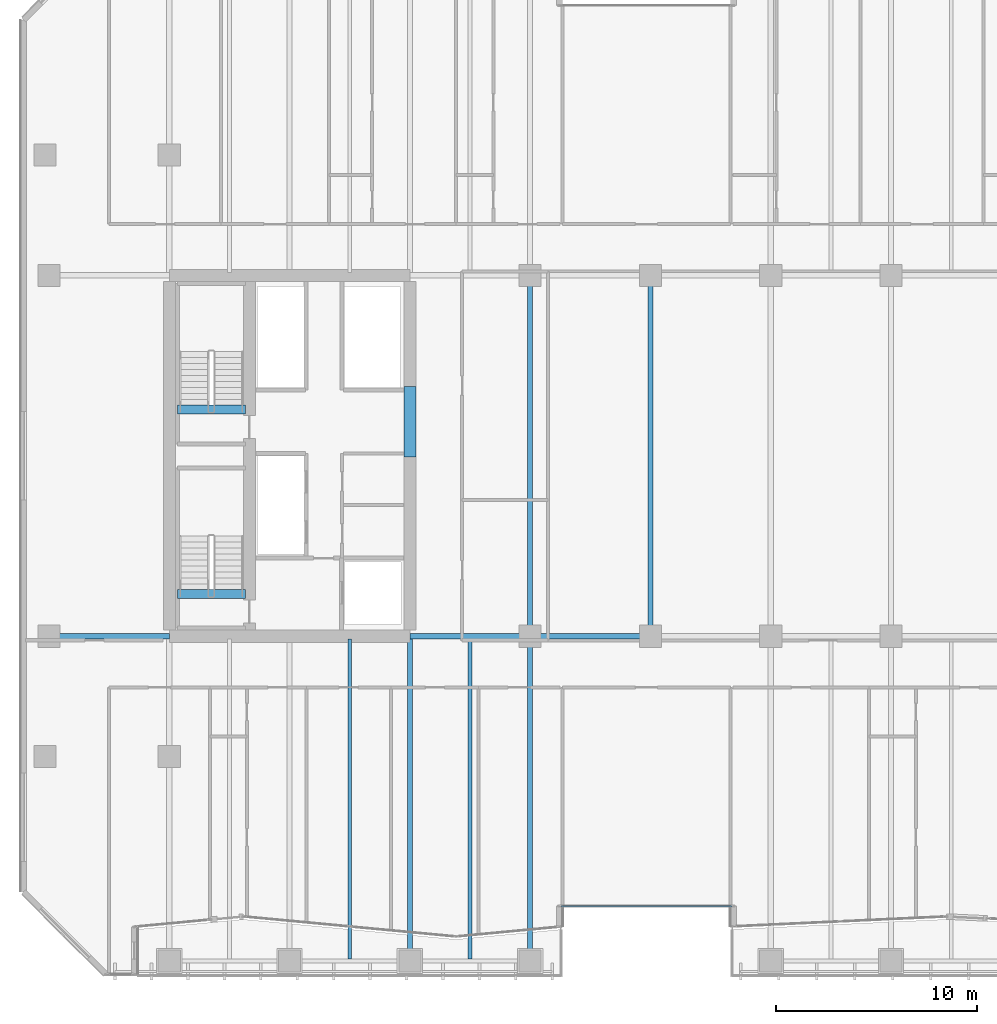
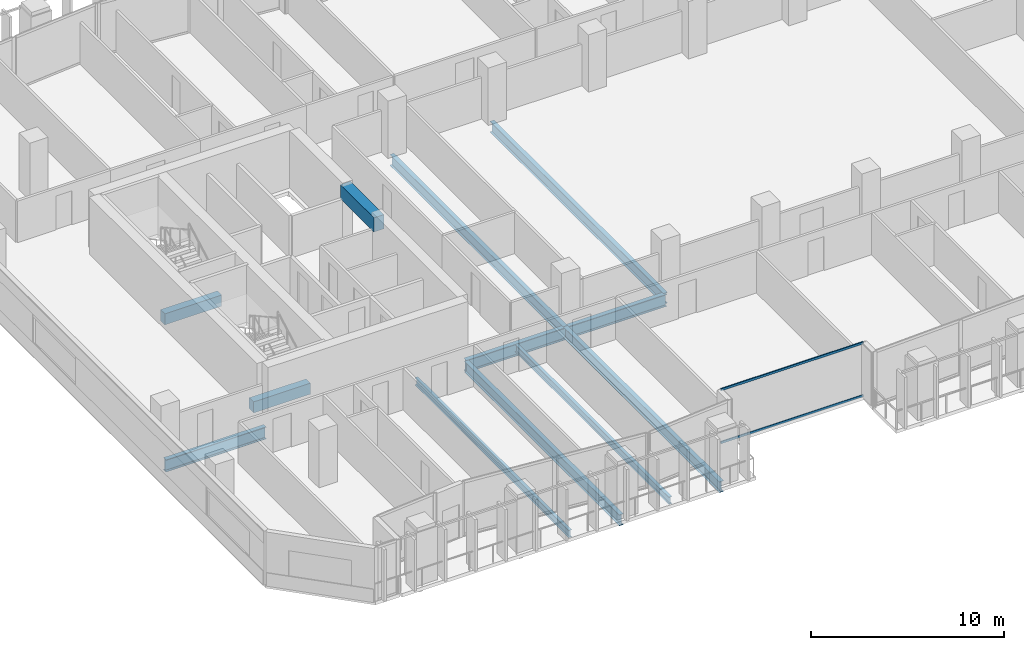
# One storey, part 4 of 31: 12 beams, 2 members, 1 element without a shape of its own.
"""IFC4 building model written with IfcOpenShell, lengths in metres."""

from ifc_helpers import new_model, si_unit, direction, frame, origin, origin_2d, place, context, subcontext, project, spatial, rectangle, hollow_rectangle, i_section, extrude, material, layer, layer_set, material_profile, profile_set, type_object, element, aggregate, save


model = new_model("IFC4")

# Units and contexts
model_context = context("Model", 3, precision=1e-05, world=origin(), true_north=direction((0.0, 1.0)))
body_context = subcontext(model_context, "Body", "Model", "MODEL_VIEW")
ifc_project = project(units=[si_unit("LENGTHUNIT", "METRE"), si_unit("AREAUNIT", "SQUARE_METRE"), si_unit("VOLUMEUNIT", "CUBIC_METRE"), si_unit("PLANEANGLEUNIT", "RADIAN"), si_unit("MASSUNIT", "GRAM", prefix="KILO")], contexts=[model_context])

# Site, building, storey
site_placement = place(None, origin())
site = spatial("IfcSite", under=ifc_project, at=site_placement, CompositionType="ELEMENT")
building_placement = place(site_placement, origin())
building = spatial("IfcBuilding", under=site, at=building_placement, Name="Tanjung Sevakor Pilgrim Tower", CompositionType="ELEMENT")
storey_placement = place(building_placement, frame((0.0, 0.0, 58.739990234375)))
storey = spatial("IfcBuildingStorey", under=building, at=storey_placement, Name="L16", CompositionType="ELEMENT", Elevation=58.739990234375)

# Beams
ifc_material_1 = material(Name="Steel S355J2", Category="steel")
ifc_material_profile_1 = material_profile(ifc_material_1, i_section(OverallWidth=0.26806640625, OverallDepth=0.769775390625, WebThickness=0.015625, FlangeThickness=0.025390625, FilletRadius=0.0166015625, at=origin_2d()))
ifc_profile_set_1 = profile_set([ifc_material_profile_1], Name="Steel S355J2")
beam_type_1 = type_object("IfcBeamType", Name="BM-B-G1-UB_762x267x197", PredefinedType="BEAM", material=ifc_profile_set_1)
for number, where, z_axis, x_axis, name in (
    (1, (18.0, 24.60009765625, -0.60498046875), (1.0, 0.0, 0.0), (0.0, 1.0, 0.0), "L16 Primary Floor Girder MAIN Y246-01"),
    (2, (36.0, 24.60009765625, -0.60498046875), (1.0, 0.0, 0.0), (0.0, 1.0, 0.0), "L16 Primary Floor Girder MAIN Y246-02"),
    (3, (42.0, 24.60009765625, -0.60498046875), (1.0, 0.0, 0.0), (0.0, 1.0, 0.0), "L16 Primary Floor Girder MAIN Y246-03"),
):
    element("IfcBeam", number, at=place(storey_placement, frame(where, z_axis=z_axis, x_axis=x_axis)), inside=storey, type_object=beam_type_1, Name=name, PredefinedType="BEAM", context=body_context, shape_type="SweptSolid", body=[
        extrude(i_section(OverallWidth=0.26806640625, OverallDepth=0.769775390625, WebThickness=0.015625, FlangeThickness=0.025390625, FilletRadius=0.0166015625, at=origin_2d()), origin(), (0.0, 0.0, 1.0), 6.0),
    ])
ifc_material_2 = material(Name="Steel S355J2", Category="steel")
ifc_material_profile_2 = material_profile(ifc_material_2, i_section(OverallWidth=0.25439453125, OverallDepth=0.6875, WebThickness=0.01318359375, FlangeThickness=0.02099609375, FilletRadius=0.01513671875, at=origin_2d()))
ifc_profile_set_2 = profile_set([ifc_material_profile_2], Name="Steel S355J2")
beam_type_2 = type_object("IfcBeamType", Name="BM-B-G2-UB_686x254x152", PredefinedType="BEAM", material=ifc_profile_set_2)
beam_1_placement = place(storey_placement, frame((36.0, 8.39990234375, -0.563720703125), z_axis=(0.0, 1.0, 0.0), x_axis=(-1.0, 0.0, 0.0)))
element("IfcBeam", 4, at=beam_1_placement, inside=storey, type_object=beam_type_2, Name="L16 MAIN Girder 009", PredefinedType="BEAM", context=body_context, shape_type="SweptSolid", body=[
    extrude(i_section(OverallWidth=0.25439453125, OverallDepth=0.6875, WebThickness=0.01318359375, FlangeThickness=0.02099609375, FilletRadius=0.01513671875, at=origin_2d()), origin(), (0.0, 0.0, 1.0), 16.066162109375),
])
beam_2_placement = place(storey_placement, frame((42.0, 8.39990234375, -0.563720703125), z_axis=(0.0, 1.0, 0.0), x_axis=(-1.0, 0.0, 0.0)))
element("IfcBeam", 5, at=beam_2_placement, inside=storey, type_object=beam_type_2, Name="L16 MAIN Girder 013", PredefinedType="BEAM", context=body_context, shape_type="SweptSolid", body=[
    extrude(i_section(OverallWidth=0.25439453125, OverallDepth=0.6875, WebThickness=0.01318359375, FlangeThickness=0.02099609375, FilletRadius=0.01513671875, at=origin_2d()), origin(), (0.0, 0.0, 1.0), 16.2001953125),
])
for number, where, z_axis, x_axis, name in (
    (6, (42.0, 24.60009765625, -0.563720703125), (0.0, 1.0, 0.0), (-1.0, 0.0, 0.0), "L16 MAIN Girder 014"),
    (7, (48.0, 24.60009765625, -0.563720703125), (0.0, 1.0, 0.0), (-1.0, 0.0, 0.0), "L16 MAIN Girder 016"),
):
    element("IfcBeam", number, at=place(storey_placement, frame(where, z_axis=z_axis, x_axis=x_axis)), inside=storey, type_object=beam_type_2, Name=name, PredefinedType="BEAM", context=body_context, shape_type="SweptSolid", body=[
        extrude(i_section(OverallWidth=0.25439453125, OverallDepth=0.6875, WebThickness=0.01318359375, FlangeThickness=0.02099609375, FilletRadius=0.01513671875, at=origin_2d()), origin(), (0.0, 0.0, 1.0), 18.0),
    ])
ifc_material_3 = material(Name="Steel S355J2", Category="steel")
ifc_material_profile_3 = material_profile(ifc_material_3, i_section(OverallWidth=0.19140625, OverallDepth=0.4599609375, WebThickness=0.010009765625, FlangeThickness=0.01611328125, FilletRadius=0.01025390625, at=origin_2d()))
ifc_profile_set_3 = profile_set([ifc_material_profile_3], Name="Steel S355J2")
beam_type_3 = type_object("IfcBeamType", Name="BM-B-J2-UB_457x191x82", PredefinedType="JOIST", material=ifc_profile_set_3)
for number, where, z_axis, x_axis, name in (
    (8, (33.0, 8.5, -0.449951171875), (0.0, 1.0, 0.0), (-1.0, 0.0, 0.0), "L16 MAIN Joist 007"),
    (9, (39.0, 8.5, -0.449951171875), (0.0, 1.0, 0.0), (-1.0, 0.0, 0.0), "L16 MAIN Joist 011"),
):
    element("IfcBeam", number, at=place(storey_placement, frame(where, z_axis=z_axis, x_axis=x_axis)), inside=storey, type_object=beam_type_3, Name=name, PredefinedType="JOIST", context=body_context, shape_type="SweptSolid", body=[
        extrude(i_section(OverallWidth=0.19140625, OverallDepth=0.4599609375, WebThickness=0.010009765625, FlangeThickness=0.01611328125, FilletRadius=0.01025390625, at=origin_2d()), origin(), (0.0, 0.0, 1.0), 15.966064453125),
    ])
ifc_material_4 = material(Name="Concrete C60/75", Category="concrete")
ifc_material_profile_4 = material_profile(ifc_material_4, rectangle(XDim=0.60009765625, YDim=0.89990234375, at=origin_2d()))
ifc_profile_set_4 = profile_set([ifc_material_profile_4], Name="Concrete C60/75")
beam_type_4 = type_object("IfcBeamType", Name="BM-B-LN1-RC-BM_600x900", PredefinedType="LINTEL", material=ifc_profile_set_4)
beam_3_placement = place(storey_placement, frame((36.0, 33.550048828125, 2.9599609375), z_axis=(0.0, 1.0, 0.0), x_axis=(-1.0, 0.0, 0.0)))
element("IfcBeam", 10, at=beam_3_placement, inside=storey, type_object=beam_type_4, Name="L16 W Core Coupling Lintel", PredefinedType="LINTEL", context=body_context, shape_type="SweptSolid", body=[
    extrude(rectangle(XDim=0.60009765625, YDim=0.89990234375, at=origin_2d()), origin(), (0.0, 0.0, 1.0), 3.5),
])
ifc_material_5 = material(Name="Concrete C60/75", Category="concrete")
ifc_material_profile_5 = material_profile(ifc_material_5, rectangle(XDim=0.449951171875, YDim=0.699951171875, at=origin_2d()))
ifc_profile_set_5 = profile_set([ifc_material_profile_5], Name="Concrete C60/75")
beam_type_5 = type_object("IfcBeamType", Name="BM-B-LN3-RC-BM_450x700", PredefinedType="LINTEL", material=ifc_profile_set_5)
for number, where, z_axis, x_axis, name in (
    (11, (24.39990234375, 26.699951171875, -0.35009765625), (1.0, 0.0, 0.0), (0.0, 1.0, 0.0), "L16 TS-W1 Stair Threshold Beam"),
    (12, (24.39990234375, 35.89990234375, -0.35009765625), (1.0, 0.0, 0.0), (0.0, 1.0, 0.0), "L16 TS-W2 Stair Threshold Beam"),
):
    element("IfcBeam", number, at=place(storey_placement, frame(where, z_axis=z_axis, x_axis=x_axis)), inside=storey, type_object=beam_type_5, Name=name, PredefinedType="LINTEL", context=body_context, shape_type="SweptSolid", body=[
        extrude(rectangle(XDim=0.449951171875, YDim=0.699951171875, at=origin_2d()), origin(), (0.0, 0.0, 1.0), 3.400146484375),
    ])

# Curtain wall, members
ifc_material_6 = material(Name="Aluminium 6063-T6 and Low-E Glass", Category="aluminium")
ifc_layer = layer(ifc_material_6, 0.179931640625)
ifc_layer_set = layer_set([ifc_layer], Name="CW-SYS-CLEFT")
curtain_wall_type = type_object("IfcCurtainWallType", Name="CW-SYS-CLEFT", PredefinedType="NOTDEFINED", material=ifc_layer_set)
curtain_wall_placement = place(storey_placement, origin())
curtain_wall = element("IfcCurtainWall", 13, at=curtain_wall_placement, inside=storey, type_object=curtain_wall_type, Name="L16 Curtain Wall CW-CLF-L16-7", PredefinedType="NOTDEFINED")
ifc_material_7 = material(Name="Aluminium 6063-T6", Category="aluminium")
ifc_material_profile_6 = material_profile(ifc_material_7, hollow_rectangle(XDim=0.06494140625, YDim=0.139892578125, WallThickness=0.00390625, at=origin_2d()))
ifc_profile_set_6 = profile_set([ifc_material_profile_6], Name="Aluminium 6063-T6")
member_type = type_object("IfcMemberType", Name="TYPE-CWT-1", PredefinedType="USERDEFINED", material=ifc_profile_set_6)
member_1_placement = place(storey_placement, frame((43.534912109375, 11.139892578125, 0.032470703125), z_axis=(1.0, 0.0, 0.0), x_axis=(0.0, 1.0, 0.0)))
member_1 = element("IfcMember", 14, at=member_1_placement, type_object=member_type, Name="CW-CLF transom 1.1", ObjectType="TRANSOM", PredefinedType="USERDEFINED", context=body_context, shape_type="SweptSolid", body=[
    extrude(hollow_rectangle(XDim=0.06494140625, YDim=0.139892578125, WallThickness=0.00390625, at=origin_2d()), origin(), (0.0, 0.0, 1.0), 8.530029296875),
])
member_2_placement = place(storey_placement, frame((43.534912109375, 11.139892578125, 3.37744140625), z_axis=(1.0, 0.0, 0.0), x_axis=(0.0, 1.0, 0.0)))
member_2 = element("IfcMember", 15, at=member_2_placement, type_object=member_type, Name="CW-CLF transom 1.2", ObjectType="TRANSOM", PredefinedType="USERDEFINED", context=body_context, shape_type="SweptSolid", body=[
    extrude(hollow_rectangle(XDim=0.06494140625, YDim=0.139892578125, WallThickness=0.00390625, at=origin_2d()), origin(), (0.0, 0.0, 1.0), 8.530029296875),
])
aggregate(curtain_wall, [member_1, member_2])

save(model, "model.ifc")
